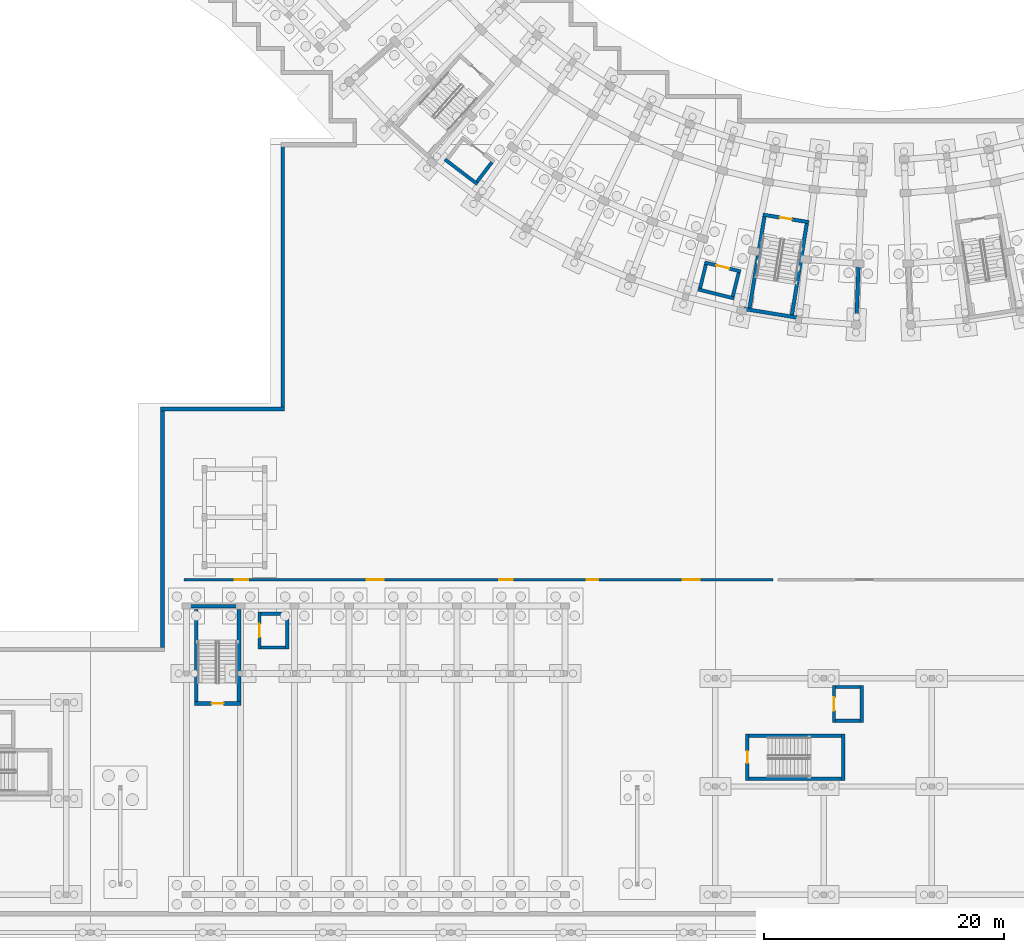
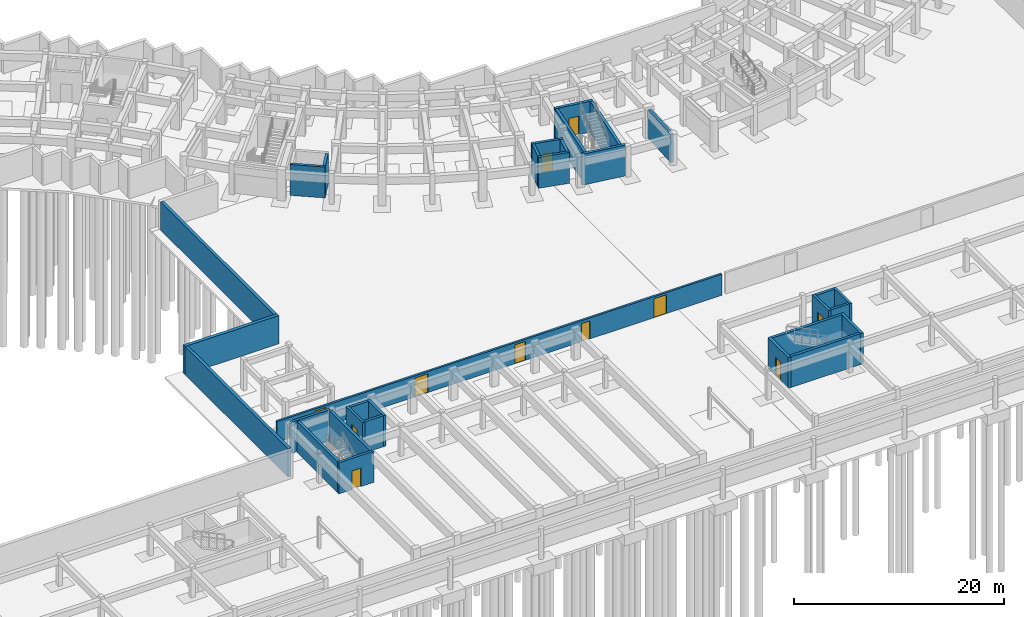
# One storey, part 18 of 32: 31 walls, 11 doors, 11 openings.
"""IFC4 building model written with IfcOpenShell, lengths in metres."""

from ifc_helpers import new_model, si_unit, direction, frame, frame_2d, origin, place, context, subcontext, project, spatial, rectangle, extrude, material, layer, layer_set, type_object, element, fill, save


model = new_model("IFC4")

# Units and contexts
model_context = context("Model", 3, precision=1e-05, world=origin(), true_north=direction((0.0, 1.0)))
body_context = subcontext(model_context, "Body", "Model", "MODEL_VIEW")
ifc_project = project(units=[si_unit("LENGTHUNIT", "METRE"), si_unit("AREAUNIT", "SQUARE_METRE"), si_unit("VOLUMEUNIT", "CUBIC_METRE"), si_unit("PLANEANGLEUNIT", "RADIAN"), si_unit("MASSUNIT", "GRAM", prefix="KILO")], contexts=[model_context])

# Site, building, storey
site_placement = place(None, origin())
site = spatial("IfcSite", under=ifc_project, at=site_placement, CompositionType="ELEMENT")
building_placement = place(site_placement, origin())
building = spatial("IfcBuilding", under=site, at=building_placement, Name="Zimvara Arc Housing Community", CompositionType="ELEMENT")
storey_placement = place(building_placement, frame((0.0, 0.0, -3.60009765625)))
storey = spatial("IfcBuildingStorey", under=building, at=storey_placement, Name="B1", CompositionType="ELEMENT", Elevation=-3.60009765625)

# Wall, openings, doors
ifc_material_1 = material(Name="Concrete C35/45", Category="concrete")
ifc_layer_1 = layer(ifc_material_1, 0.22509765625)
ifc_layer_set_1 = layer_set([ifc_layer_1], Name="Concrete C35/45")
wall_type_1 = type_object("IfcWallType", Name="IWL-PLNT-225", PredefinedType="SOLIDWALL", material=ifc_layer_set_1)
wall_1_placement = place(storey_placement, frame((67.800048828125, 29.800048828125, 0.0), z_axis=(0.0, 0.0, 1.0), x_axis=(1.0, 0.0, 0.0)))
wall_1 = element("IfcWall", 1, at=wall_1_placement, inside=storey, type_object=wall_type_1, Name="iwall:civ:b1_north_pl", PredefinedType="SOLIDWALL", context=body_context, shape_type="SweptSolid", body=[
    extrude(rectangle(XDim=49.0, YDim=0.22509765625, at=frame_2d((24.5, 0.0))), origin(), (0.0, 0.0, 1.0), 2.4501953125),
])
opening_1_placement = place(wall_1_placement, frame((4.199951171875, 0.0, 0.0)))
opening_1 = element("IfcOpeningElement", 2, at=opening_1_placement, cuts=wall_1, Name="Opening FD-PL1", PredefinedType="OPENING", context=body_context, shape_type="SweptSolid", body=[
    extrude(rectangle(XDim=1.14990234375, YDim=2.199951171875, at=frame_2d((0.574951171875, 1.10009765625))), frame((0.0, 0.12255859375, 0.0), z_axis=(0.0, -1.0, 0.0), x_axis=(1.0, 0.0, 0.0)), (0.0, 0.0, 1.0), 0.2451171875),
])
opening_2_placement = place(wall_1_placement, frame((15.199951171875, 0.0, 0.0)))
opening_2 = element("IfcOpeningElement", 3, at=opening_2_placement, cuts=wall_1, Name="Opening FD-PL2", PredefinedType="OPENING", context=body_context, shape_type="SweptSolid", body=[
    extrude(rectangle(XDim=1.39990234375, YDim=2.199951171875, at=frame_2d((0.699951171875, 1.10009765625))), frame((0.0, 0.12255859375, 0.0), z_axis=(0.0, -1.0, 0.0), x_axis=(1.0, 0.0, 0.0)), (0.0, 0.0, 1.0), 0.2451171875),
])
opening_3_placement = place(wall_1_placement, frame((26.199951171875, 0.0, 0.0)))
opening_3 = element("IfcOpeningElement", 4, at=opening_3_placement, cuts=wall_1, Name="Opening FD-PL1", PredefinedType="OPENING", context=body_context, shape_type="SweptSolid", body=[
    extrude(rectangle(XDim=1.14990234375, YDim=2.199951171875, at=frame_2d((0.574951171875, 1.10009765625))), frame((0.0, 0.12255859375, 0.0), z_axis=(0.0, -1.0, 0.0), x_axis=(1.0, 0.0, 0.0)), (0.0, 0.0, 1.0), 0.2451171875),
])
opening_4_placement = place(wall_1_placement, frame((33.5, 0.0, 0.0)))
opening_4 = element("IfcOpeningElement", 5, at=opening_4_placement, cuts=wall_1, Name="Opening D06", PredefinedType="OPENING", context=body_context, shape_type="SweptSolid", body=[
    extrude(rectangle(XDim=0.949951171875, YDim=2.10009765625, at=frame_2d((0.47509765625, 1.050048828125))), frame((0.0, 0.12255859375, 0.0), z_axis=(0.0, -1.0, 0.0), x_axis=(1.0, 0.0, 0.0)), (0.0, 0.0, 1.0), 0.2451171875),
])
opening_5_placement = place(wall_1_placement, frame((41.5, 0.0, 0.0)))
opening_5 = element("IfcOpeningElement", 6, at=opening_5_placement, cuts=wall_1, Name="Opening FD-PL2", PredefinedType="OPENING", context=body_context, shape_type="SweptSolid", body=[
    extrude(rectangle(XDim=1.39990234375, YDim=2.199951171875, at=frame_2d((0.699951171875, 1.10009765625))), frame((0.0, 0.12255859375, 0.0), z_axis=(0.0, -1.0, 0.0), x_axis=(1.0, 0.0, 0.0)), (0.0, 0.0, 1.0), 0.2451171875),
])
ifc_material_2 = material(Name="Mozambican Hardwood", Category="wood")
door_type_1 = type_object("IfcDoorType", Name="IDR-AWC-0950x2100", OperationType="NOTDEFINED", PredefinedType="DOOR", material=ifc_material_2)
door_1_placement = place(opening_4_placement, origin())
door_1 = element("IfcDoor", 7, at=door_1_placement, inside=storey, type_object=door_type_1, Name="idoor:civ:b1wc_d", OperationType="SINGLE_SWING_LEFT", OverallHeight=2.10009765625, OverallWidth=0.949951171875, PredefinedType="DOOR", context=body_context, shape_type="SweptSolid", body=[
    extrude(rectangle(XDim=0.949951171875, YDim=2.10009765625, at=frame_2d((0.47509765625, 1.050048828125))), frame((0.0, 0.02490234375, 0.0), z_axis=(0.0, -1.0, 0.0), x_axis=(1.0, 0.0, 0.0)), (0.0, 0.0, 1.0), 0.050048828125),
])
fill(opening_4, door_1)
ifc_material_3 = material(Name="Anodised Aluminium AW-6063", Category="aluminium")
door_type_2 = type_object("IfcDoorType", Name="IDR-PLNT-1150x2200", OperationType="NOTDEFINED", PredefinedType="DOOR", material=ifc_material_3)
door_2_placement = place(opening_1_placement, origin())
door_2 = element("IfcDoor", 8, at=door_2_placement, inside=storey, type_object=door_type_2, Name="idoor:civ:pot_d", OperationType="SINGLE_SWING_LEFT", OverallHeight=2.199951171875, OverallWidth=1.14990234375, PredefinedType="DOOR", context=body_context, shape_type="SweptSolid", body=[
    extrude(rectangle(XDim=1.14990234375, YDim=2.199951171875, at=frame_2d((0.574951171875, 1.10009765625))), frame((0.0, 0.02490234375, 0.0), z_axis=(0.0, -1.0, 0.0), x_axis=(1.0, 0.0, 0.0)), (0.0, 0.0, 1.0), 0.050048828125),
])
fill(opening_1, door_2)
door_3_placement = place(opening_3_placement, origin())
door_3 = element("IfcDoor", 9, at=door_3_placement, inside=storey, type_object=door_type_2, Name="idoor:civ:rain_d", OperationType="SINGLE_SWING_RIGHT", OverallHeight=2.199951171875, OverallWidth=1.14990234375, PredefinedType="DOOR", context=body_context, shape_type="SweptSolid", body=[
    extrude(rectangle(XDim=1.14990234375, YDim=2.199951171875, at=frame_2d((0.574951171875, 1.10009765625))), frame((0.0, 0.02490234375, 0.0), z_axis=(0.0, -1.0, 0.0), x_axis=(1.0, 0.0, 0.0)), (0.0, 0.0, 1.0), 0.050048828125),
])
fill(opening_3, door_3)
ifc_material_4 = material(Name="Anodised Aluminium AW-6063", Category="aluminium")
door_type_3 = type_object("IfcDoorType", Name="IDR-PLNT-1400x2200", OperationType="DOUBLE_DOOR_SINGLE_SWING", PredefinedType="DOOR", material=ifc_material_4)
door_4_placement = place(opening_2_placement, origin())
door_4 = element("IfcDoor", 10, at=door_4_placement, inside=storey, type_object=door_type_3, Name="idoor:civ:fcist_d", OperationType="DOUBLE_DOOR_SINGLE_SWING", OverallHeight=2.199951171875, OverallWidth=1.39990234375, PredefinedType="DOOR", context=body_context, shape_type="SweptSolid", body=[
    extrude(rectangle(XDim=1.39990234375, YDim=2.199951171875, at=frame_2d((0.699951171875, 1.10009765625))), frame((0.0, 0.02490234375, 0.0), z_axis=(0.0, -1.0, 0.0), x_axis=(1.0, 0.0, 0.0)), (0.0, 0.0, 1.0), 0.050048828125),
])
fill(opening_2, door_4)
door_5_placement = place(opening_5_placement, origin())
door_5 = element("IfcDoor", 11, at=door_5_placement, inside=storey, type_object=door_type_3, Name="idoor:civ:mnt_d", OperationType="DOUBLE_DOOR_SINGLE_SWING", OverallHeight=2.199951171875, OverallWidth=1.39990234375, PredefinedType="DOOR", context=body_context, shape_type="SweptSolid", body=[
    extrude(rectangle(XDim=1.39990234375, YDim=2.199951171875, at=frame_2d((0.699951171875, 1.10009765625))), frame((0.0, 0.02490234375, 0.0), z_axis=(0.0, -1.0, 0.0), x_axis=(1.0, 0.0, 0.0)), (0.0, 0.0, 1.0), 0.050048828125),
])
fill(opening_5, door_5)

# Walls
ifc_material_5 = material(Name="Concrete C40/50", Category="concrete")
ifc_layer_2 = layer(ifc_material_5, 0.280029296875)
ifc_layer_set_2 = layer_set([ifc_layer_2], Name="Concrete C40/50")
wall_type_2 = type_object("IfcWallType", Name="WL-CORE-280", PredefinedType="SHEAR", material=ifc_layer_set_2)
wall_2_placement = place(storey_placement, frame((89.49951171875, 64.76953125, 0.0), z_axis=(0.0, 0.0, 1.0), x_axis=(0.795474703455, -0.605986795371, 0.0)))
element("IfcWall", 12, at=wall_2_placement, inside=storey, type_object=wall_type_2, Name="lwall:LF-C1:B1:back", PredefinedType="SHEAR", context=body_context, shape_type="SweptSolid", body=[
    extrude(rectangle(XDim=3.389892578125, YDim=0.280029296875, at=frame_2d((1.69482421875, 0.0))), origin(), (0.0, 0.0, 1.0), 3.60009765625),
])
wall_3_placement = place(storey_placement, frame((93.399658203125, 64.5263671875, 0.0), z_axis=(0.0, 0.0, 1.0), x_axis=(-0.605891019062, -0.795547656033, 0.0)))
element("IfcWall", 13, at=wall_3_placement, inside=storey, type_object=wall_type_2, Name="lwall:LF-C1:B1:right", PredefinedType="SHEAR", context=body_context, shape_type="SweptSolid", body=[
    extrude(rectangle(XDim=2.030029296875, YDim=0.280029296875, at=frame_2d((1.01513671875, 0.0))), origin(), (0.0, 0.0, 1.0), 3.60009765625),
])

# Wall, opening, door
wall_4_placement = place(storey_placement, frame((111.10791015625, 56.1962890625, 0.0), z_axis=(0.0, 0.0, 1.0), x_axis=(0.970706856107, -0.240266933861, 0.0)))
wall_4 = element("IfcWall", 14, at=wall_4_placement, inside=storey, type_object=wall_type_2, Name="lwall:LP-C2:B1:front", PredefinedType="SHEAR", context=body_context, shape_type="SweptSolid", body=[
    extrude(rectangle(XDim=3.090087890625, YDim=0.280029296875, at=frame_2d((1.544921875, 0.0))), origin(), (0.0, 0.0, 1.0), 3.60009765625),
])
opening_6_placement = place(wall_4_placement, frame((0.9951171875, 0.0, 0.0)))
opening_6 = element("IfcOpeningElement", 15, at=opening_6_placement, cuts=wall_4, Name="Opening LD-LP-C2", PredefinedType="OPENING", context=body_context, shape_type="SweptSolid", body=[
    extrude(rectangle(XDim=1.10009765625, YDim=2.14990234375, at=frame_2d((0.550048828125, 1.074951171875))), frame((0.0, 0.14990234375, 0.0), z_axis=(0.0, -1.0, 0.0), x_axis=(1.0, 0.0, 0.0)), (0.0, 0.0, 1.0), 0.300048828125),
])
ifc_material_6 = material(Name="Anodised Aluminium AW-6063", Category="aluminium")
door_type_4 = type_object("IfcDoorType", Name="IDR-LD-1100x2150", OperationType="DOUBLE_DOOR_SLIDING", PredefinedType="DOOR", material=ifc_material_6)
door_6_placement = place(opening_6_placement, origin())
door_6 = element("IfcDoor", 16, at=door_6_placement, inside=storey, type_object=door_type_4, Name="Lift LP-C2 Sliding Landing Door B1", OperationType="DOUBLE_DOOR_SLIDING", OverallHeight=2.14990234375, OverallWidth=1.10009765625, PredefinedType="DOOR", context=body_context, shape_type="SweptSolid", body=[
    extrude(rectangle(XDim=1.10009765625, YDim=2.14990234375, at=frame_2d((0.550048828125, 1.074951171875))), frame((0.0, 0.02490234375, 0.0), z_axis=(0.0, -1.0, 0.0), x_axis=(1.0, 0.0, 0.0)), (0.0, 0.0, 1.0), 0.050048828125),
])
fill(opening_6, door_6)

# Walls
wall_5_placement = place(storey_placement, frame((110.552978515625, 53.953857421875, 0.0), z_axis=(0.0, 0.0, 1.0), x_axis=(0.970725280816, -0.240192483614, 0.0)))
element("IfcWall", 17, at=wall_5_placement, inside=storey, type_object=wall_type_2, Name="lwall:LP-C2:B1:back", PredefinedType="SHEAR", context=body_context, shape_type="SweptSolid", body=[
    extrude(rectangle(XDim=3.090087890625, YDim=0.280029296875, at=frame_2d((1.544921875, 0.0))), origin(), (0.0, 0.0, 1.0), 3.60009765625),
])
wall_6_placement = place(storey_placement, frame((111.210205078125, 56.026611328125, 0.0), z_axis=(0.0, 0.0, 1.0), x_axis=(-0.240186044774, -0.970726873995, 0.0)))
element("IfcWall", 18, at=wall_6_placement, inside=storey, type_object=wall_type_2, Name="lwall:LP-C2:B1:left", PredefinedType="SHEAR", context=body_context, shape_type="SweptSolid", body=[
    extrude(rectangle(XDim=2.02978515625, YDim=0.280029296875, at=frame_2d((1.014892578125, 0.0))), origin(), (0.0, 0.0, 1.0), 3.60009765625),
])
wall_7_placement = place(storey_placement, frame((113.93798828125, 55.3515625, 0.0), z_axis=(0.0, 0.0, 1.0), x_axis=(-0.2402993748, -0.970698825832, 0.0)))
element("IfcWall", 19, at=wall_7_placement, inside=storey, type_object=wall_type_2, Name="lwall:LP-C2:B1:right", PredefinedType="SHEAR", context=body_context, shape_type="SweptSolid", body=[
    extrude(rectangle(XDim=2.030029296875, YDim=0.280029296875, at=frame_2d((1.01513671875, 0.0))), origin(), (0.0, 0.0, 1.0), 3.60009765625),
])

# Wall, opening, door
wall_8_placement = place(storey_placement, frame((74.06494140625, 24.02490234375, 0.0), z_axis=(0.0, 0.0, 1.0), x_axis=(0.0, 1.0, 0.0)))
wall_8 = element("IfcWall", 20, at=wall_8_placement, inside=storey, type_object=wall_type_2, Name="lwall:LP-H1:B1:front", PredefinedType="SHEAR", context=body_context, shape_type="SweptSolid", body=[
    extrude(rectangle(XDim=3.090087890625, YDim=0.280029296875, at=frame_2d((1.544921875, 0.0))), origin(), (0.0, 0.0, 1.0), 3.60009765625),
])
opening_7_placement = place(wall_8_placement, frame((0.9951171875, 0.0, 0.0)))
opening_7 = element("IfcOpeningElement", 21, at=opening_7_placement, cuts=wall_8, Name="Opening LD-LP-H1", PredefinedType="OPENING", context=body_context, shape_type="SweptSolid", body=[
    extrude(rectangle(XDim=1.10009765625, YDim=2.14990234375, at=frame_2d((0.550048828125, 1.074951171875))), frame((0.0, 0.14990234375, 0.0), z_axis=(0.0, -1.0, 0.0), x_axis=(1.0, 0.0, 0.0)), (0.0, 0.0, 1.0), 0.300048828125),
])
door_7_placement = place(opening_7_placement, origin())
door_7 = element("IfcDoor", 22, at=door_7_placement, inside=storey, type_object=door_type_4, Name="Lift LP-H1 Sliding Landing Door B1", OperationType="DOUBLE_DOOR_SLIDING", OverallHeight=2.14990234375, OverallWidth=1.10009765625, PredefinedType="DOOR", context=body_context, shape_type="SweptSolid", body=[
    extrude(rectangle(XDim=1.10009765625, YDim=2.14990234375, at=frame_2d((0.550048828125, 1.074951171875))), frame((0.0, 0.02490234375, 0.0), z_axis=(0.0, -1.0, 0.0), x_axis=(1.0, 0.0, 0.0)), (0.0, 0.0, 1.0), 0.050048828125),
])
fill(opening_7, door_7)

# Walls
wall_9_placement = place(storey_placement, frame((76.375, 24.02490234375, 0.0), z_axis=(0.0, 0.0, 1.0), x_axis=(0.0, 1.0, 0.0)))
element("IfcWall", 23, at=wall_9_placement, inside=storey, type_object=wall_type_2, Name="lwall:LP-H1:B1:back", PredefinedType="SHEAR", context=body_context, shape_type="SweptSolid", body=[
    extrude(rectangle(XDim=3.090087890625, YDim=0.280029296875, at=frame_2d((1.544921875, 0.0))), origin(), (0.0, 0.0, 1.0), 3.60009765625),
])
for number, where, z_axis, x_axis, name in (
    (24, (74.205078125, 24.1650390625, 0.0), (0.0, 0.0, 1.0), (1.0, 0.0, 0.0), "lwall:LP-H1:B1:left"),
    (25, (74.205078125, 26.97509765625, 0.0), (0.0, 0.0, 1.0), (1.0, 0.0, 0.0), "lwall:LP-H1:B1:right"),
):
    element("IfcWall", number, at=place(storey_placement, frame(where, z_axis=z_axis, x_axis=x_axis)), inside=storey, type_object=wall_type_2, Name=name, PredefinedType="SHEAR", context=body_context, shape_type="SweptSolid", body=[
        extrude(rectangle(XDim=2.030029296875, YDim=0.280029296875, at=frame_2d((1.01513671875, 0.0))), origin(), (0.0, 0.0, 1.0), 3.60009765625),
    ])

# Wall, opening, door
wall_10_placement = place(storey_placement, frame((121.864990234375, 17.925048828125, 0.0), z_axis=(0.0, 0.0, 1.0), x_axis=(0.0, 1.0, 0.0)))
wall_10 = element("IfcWall", 26, at=wall_10_placement, inside=storey, type_object=wall_type_2, Name="lwall:LP-N1:B1:front", PredefinedType="SHEAR", context=body_context, shape_type="SweptSolid", body=[
    extrude(rectangle(XDim=3.08984375, YDim=0.280029296875, at=frame_2d((1.544921875, 0.0))), origin(), (0.0, 0.0, 1.0), 3.60009765625),
])
opening_8_placement = place(wall_10_placement, frame((0.9951171875, 0.0, 0.0)))
opening_8 = element("IfcOpeningElement", 27, at=opening_8_placement, cuts=wall_10, Name="Opening LD-LP-N1", PredefinedType="OPENING", context=body_context, shape_type="SweptSolid", body=[
    extrude(rectangle(XDim=1.10009765625, YDim=2.14990234375, at=frame_2d((0.550048828125, 1.074951171875))), frame((0.0, 0.14990234375, 0.0), z_axis=(0.0, -1.0, 0.0), x_axis=(1.0, 0.0, 0.0)), (0.0, 0.0, 1.0), 0.300048828125),
])
door_8_placement = place(opening_8_placement, origin())
door_8 = element("IfcDoor", 28, at=door_8_placement, inside=storey, type_object=door_type_4, Name="Lift LP-N1 Sliding Landing Door B1", OperationType="DOUBLE_DOOR_SLIDING", OverallHeight=2.14990234375, OverallWidth=1.10009765625, PredefinedType="DOOR", context=body_context, shape_type="SweptSolid", body=[
    extrude(rectangle(XDim=1.10009765625, YDim=2.14990234375, at=frame_2d((0.550048828125, 1.074951171875))), frame((0.0, 0.02490234375, 0.0), z_axis=(0.0, -1.0, 0.0), x_axis=(1.0, 0.0, 0.0)), (0.0, 0.0, 1.0), 0.050048828125),
])
fill(opening_8, door_8)

# Walls
wall_11_placement = place(storey_placement, frame((124.175048828125, 17.925048828125, 0.0), z_axis=(0.0, 0.0, 1.0), x_axis=(0.0, 1.0, 0.0)))
element("IfcWall", 29, at=wall_11_placement, inside=storey, type_object=wall_type_2, Name="lwall:LP-N1:B1:back", PredefinedType="SHEAR", context=body_context, shape_type="SweptSolid", body=[
    extrude(rectangle(XDim=3.08984375, YDim=0.280029296875, at=frame_2d((1.544921875, 0.0))), origin(), (0.0, 0.0, 1.0), 3.60009765625),
])
for number, where, z_axis, x_axis, name in (
    (30, (122.0048828125, 18.06494140625, 0.0), (0.0, 0.0, 1.0), (1.0, 0.0, 0.0), "lwall:LP-N1:B1:left"),
    (31, (122.0048828125, 20.875, 0.0), (0.0, 0.0, 1.0), (1.0, 0.0, 0.0), "lwall:LP-N1:B1:right"),
):
    element("IfcWall", number, at=place(storey_placement, frame(where, z_axis=z_axis, x_axis=x_axis)), inside=storey, type_object=wall_type_2, Name=name, PredefinedType="SHEAR", context=body_context, shape_type="SweptSolid", body=[
        extrude(rectangle(XDim=2.030029296875, YDim=0.280029296875, at=frame_2d((1.01513671875, 0.0))), origin(), (0.0, 0.0, 1.0), 3.60009765625),
    ])

# Wall, opening, door
ifc_material_7 = material(Name="Concrete C40/50", Category="concrete")
ifc_layer_3 = layer(ifc_material_7, 0.300048828125)
ifc_layer_set_3 = layer_set([ifc_layer_3], Name="Concrete C40/50")
wall_type_3 = type_object("IfcWallType", Name="WL-CORE-300", PredefinedType="SHEAR", material=ifc_layer_set_3)
wall_12_placement = place(storey_placement, frame((115.953857421875, 60.16943359375, 0.0), z_axis=(0.0, 0.0, 1.0), x_axis=(0.987077443397, -0.160243941341, 0.0)))
wall_12 = element("IfcWall", 32, at=wall_12_placement, inside=storey, type_object=wall_type_3, Name="cwall:ST-C2:B1:near", PredefinedType="SHEAR", context=body_context, shape_type="SweptSolid", body=[
    extrude(rectangle(XDim=3.869873046875, YDim=0.300048828125, at=frame_2d((1.93505859375, 0.0))), origin(), (0.0, 0.0, 1.0), 3.60009765625),
])
opening_9_placement = place(wall_12_placement, frame((1.43505859375, 0.0, 0.0)))
opening_9 = element("IfcOpeningElement", 33, at=opening_9_placement, cuts=wall_12, Name="Opening FD-ST1", PredefinedType="OPENING", context=body_context, shape_type="SweptSolid", body=[
    extrude(rectangle(XDim=1.0, YDim=2.14990234375, at=frame_2d((0.5, 1.074951171875))), frame((0.0, 0.159912109375, 0.0), z_axis=(0.0, -1.0, 0.0), x_axis=(1.0, 0.0, 0.0)), (0.0, 0.0, 1.0), 0.320068359375),
])
ifc_material_8 = material(Name="Anodised Aluminium AW-6063", Category="aluminium")
door_type_5 = type_object("IfcDoorType", Name="IDR-ST-1000x2150", OperationType="NOTDEFINED", PredefinedType="DOOR", material=ifc_material_8)
door_9_placement = place(opening_9_placement, origin())
door_9 = element("IfcDoor", 34, at=door_9_placement, inside=storey, type_object=door_type_5, Name="idoor:ST-C2:B1:entry", OperationType="SINGLE_SWING_LEFT", OverallHeight=2.14990234375, OverallWidth=1.0, PredefinedType="DOOR", context=body_context, shape_type="SweptSolid", body=[
    extrude(rectangle(XDim=1.0, YDim=2.14990234375, at=frame_2d((0.5, 1.074951171875))), frame((0.0, 0.02490234375, 0.0), z_axis=(0.0, -1.0, 0.0), x_axis=(1.0, 0.0, 0.0)), (0.0, 0.0, 1.0), 0.050048828125),
])
fill(opening_9, door_9)

# Walls
wall_13_placement = place(storey_placement, frame((114.37744140625, 52.330810546875, 0.0), z_axis=(0.0, 0.0, 1.0), x_axis=(0.987077474317, -0.16024375088, 0.0)))
element("IfcWall", 35, at=wall_13_placement, inside=storey, type_object=wall_type_3, Name="cwall:ST-C2:B1:far", PredefinedType="SHEAR", context=body_context, shape_type="SweptSolid", body=[
    extrude(rectangle(XDim=4.47021484375, YDim=0.300048828125, at=frame_2d((2.235107421875, 0.0))), origin(), (0.0, 0.0, 1.0), 3.60009765625),
])
for number, where, z_axis, x_axis, name in (
    (36, (116.077880859375, 59.997314453125, 0.0), (0.0, 0.0, 1.0), (-0.160232517967, -0.987079297821, 0.0), "cwall:ST-C2:B1:left"),
    (37, (119.6015625, 59.42529296875, 0.0), (0.0, 0.0, 1.0), (-0.160201584773, -0.987084318706, 0.0), "cwall:ST-C2:B1:right"),
):
    element("IfcWall", number, at=place(storey_placement, frame(where, z_axis=z_axis, x_axis=x_axis)), inside=storey, type_object=wall_type_3, Name=name, PredefinedType="SHEAR", context=body_context, shape_type="SweptSolid", body=[
        extrude(rectangle(XDim=7.68994140625, YDim=0.300048828125, at=frame_2d((3.844970703125, 0.0))), origin(), (0.0, 0.0, 1.0), 3.60009765625),
    ])

# Wall, opening, door
wall_14_placement = place(storey_placement, frame((72.514892578125, 19.5048828125, 0.0), z_axis=(0.0, 0.0, 1.0), x_axis=(-1.0, 0.0, 0.0)))
wall_14 = element("IfcWall", 38, at=wall_14_placement, inside=storey, type_object=wall_type_3, Name="cwall:ST-H1:B1:near", PredefinedType="SHEAR", context=body_context, shape_type="SweptSolid", body=[
    extrude(rectangle(XDim=3.869873046875, YDim=0.300048828125, at=frame_2d((1.93505859375, 0.0))), origin(), (0.0, 0.0, 1.0), 3.60009765625),
])
opening_10_placement = place(wall_14_placement, frame((1.43505859375, 0.0, 0.0)))
opening_10 = element("IfcOpeningElement", 39, at=opening_10_placement, cuts=wall_14, Name="Opening FD-ST1", PredefinedType="OPENING", context=body_context, shape_type="SweptSolid", body=[
    extrude(rectangle(XDim=1.0, YDim=2.14990234375, at=frame_2d((0.5, 1.074951171875))), frame((0.0, 0.159912109375, 0.0), z_axis=(0.0, -1.0, 0.0), x_axis=(1.0, 0.0, 0.0)), (0.0, 0.0, 1.0), 0.320068359375),
])
door_10_placement = place(opening_10_placement, origin())
door_10 = element("IfcDoor", 40, at=door_10_placement, inside=storey, type_object=door_type_5, Name="idoor:ST-H1:B1:entry", OperationType="SINGLE_SWING_LEFT", OverallHeight=2.14990234375, OverallWidth=1.0, PredefinedType="DOOR", context=body_context, shape_type="SweptSolid", body=[
    extrude(rectangle(XDim=1.0, YDim=2.14990234375, at=frame_2d((0.5, 1.074951171875))), frame((0.0, 0.02490234375, 0.0), z_axis=(0.0, -1.0, 0.0), x_axis=(1.0, 0.0, 0.0)), (0.0, 0.0, 1.0), 0.050048828125),
])
fill(opening_10, door_10)

# Walls
wall_15_placement = place(storey_placement, frame((72.429931640625, 27.60009765625, 0.0), z_axis=(0.0, 0.0, 1.0), x_axis=(-1.0, 0.0, 0.0)))
element("IfcWall", 41, at=wall_15_placement, inside=storey, type_object=wall_type_3, Name="cwall:ST-H1:B1:far", PredefinedType="SHEAR", context=body_context, shape_type="SweptSolid", body=[
    extrude(rectangle(XDim=4.35986328125, YDim=0.300048828125, at=frame_2d((2.179931640625, 0.0))), origin(), (0.0, 0.0, 1.0), 3.60009765625),
])
for number, where, z_axis, x_axis, name in (
    (42, (72.364990234375, 19.655029296875, 0.0), (0.0, 0.0, 1.0), (0.0, 1.0, 0.0), "cwall:ST-H1:B1:left"),
    (43, (68.794921875, 19.655029296875, 0.0), (0.0, 0.0, 1.0), (0.0, 1.0, 0.0), "cwall:ST-H1:B1:right"),
):
    element("IfcWall", number, at=place(storey_placement, frame(where, z_axis=z_axis, x_axis=x_axis)), inside=storey, type_object=wall_type_3, Name=name, PredefinedType="SHEAR", context=body_context, shape_type="SweptSolid", body=[
        extrude(rectangle(XDim=7.68994140625, YDim=0.300048828125, at=frame_2d((3.844970703125, 0.0))), origin(), (0.0, 0.0, 1.0), 3.60009765625),
    ])

# Wall, opening, door
wall_16_placement = place(storey_placement, frame((114.655029296875, 13.10498046875, 0.0), z_axis=(0.0, 0.0, 1.0), x_axis=(0.0, 1.0, 0.0)))
wall_16 = element("IfcWall", 44, at=wall_16_placement, inside=storey, type_object=wall_type_3, Name="cwall:ST-N1:B1:near", PredefinedType="SHEAR", context=body_context, shape_type="SweptSolid", body=[
    extrude(rectangle(XDim=3.8701171875, YDim=0.300048828125, at=frame_2d((1.93505859375, 0.0))), origin(), (0.0, 0.0, 1.0), 3.60009765625),
])
opening_11_placement = place(wall_16_placement, frame((1.43505859375, 0.0, 0.0)))
opening_11 = element("IfcOpeningElement", 45, at=opening_11_placement, cuts=wall_16, Name="Opening FD-ST1", PredefinedType="OPENING", context=body_context, shape_type="SweptSolid", body=[
    extrude(rectangle(XDim=1.0, YDim=2.14990234375, at=frame_2d((0.5, 1.074951171875))), frame((0.0, 0.159912109375, 0.0), z_axis=(0.0, -1.0, 0.0), x_axis=(1.0, 0.0, 0.0)), (0.0, 0.0, 1.0), 0.320068359375),
])
door_11_placement = place(opening_11_placement, origin())
door_11 = element("IfcDoor", 46, at=door_11_placement, inside=storey, type_object=door_type_5, Name="idoor:ST-N1:B1:entry", OperationType="SINGLE_SWING_LEFT", OverallHeight=2.14990234375, OverallWidth=1.0, PredefinedType="DOOR", context=body_context, shape_type="SweptSolid", body=[
    extrude(rectangle(XDim=1.0, YDim=2.14990234375, at=frame_2d((0.5, 1.074951171875))), frame((0.0, 0.02490234375, 0.0), z_axis=(0.0, -1.0, 0.0), x_axis=(1.0, 0.0, 0.0)), (0.0, 0.0, 1.0), 0.050048828125),
])
fill(opening_11, door_11)

# Walls
wall_17_placement = place(storey_placement, frame((122.64501953125, 13.10498046875, 0.0), z_axis=(0.0, 0.0, 1.0), x_axis=(0.0, 1.0, 0.0)))
element("IfcWall", 47, at=wall_17_placement, inside=storey, type_object=wall_type_3, Name="cwall:ST-N1:B1:far", PredefinedType="SHEAR", context=body_context, shape_type="SweptSolid", body=[
    extrude(rectangle(XDim=3.8701171875, YDim=0.300048828125, at=frame_2d((1.93505859375, 0.0))), origin(), (0.0, 0.0, 1.0), 3.60009765625),
])
for number, where, z_axis, x_axis, name in (
    (48, (114.804931640625, 13.2548828125, 0.0), (0.0, 0.0, 1.0), (1.0, 0.0, 0.0), "cwall:ST-N1:B1:left"),
    (49, (114.804931640625, 16.824951171875, 0.0), (0.0, 0.0, 1.0), (1.0, 0.0, 0.0), "cwall:ST-N1:B1:right"),
):
    element("IfcWall", number, at=place(storey_placement, frame(where, z_axis=z_axis, x_axis=x_axis)), inside=storey, type_object=wall_type_3, Name=name, PredefinedType="SHEAR", context=body_context, shape_type="SweptSolid", body=[
        extrude(rectangle(XDim=7.690185546875, YDim=0.300048828125, at=frame_2d((3.84521484375, 0.0))), origin(), (0.0, 0.0, 1.0), 3.60009765625),
    ])
ifc_material_9 = material(Name="Concrete C35/45", Category="concrete")
ifc_layer_4 = layer(ifc_material_9, 0.320068359375)
ifc_layer_set_4 = layer_set([ifc_layer_4], Name="Concrete C35/45")
wall_type_4 = type_object("IfcWallType", Name="WL-RET-320", PredefinedType="USERDEFINED", material=ifc_layer_set_4)
wall_18_placement = place(storey_placement, frame((76.0, 65.824951171875, 0.0), z_axis=(0.0, 0.0, 1.0), x_axis=(0.0, -1.0, 0.0)))
element("IfcWall", 50, at=wall_18_placement, inside=storey, type_object=wall_type_4, Name="wall:B1:ret:130", ObjectType="RETAINING WALL", PredefinedType="USERDEFINED", context=body_context, shape_type="SweptSolid", body=[
    extrude(rectangle(XDim=21.64990234375, YDim=0.320068359375, at=frame_2d((10.824951171875, 0.0))), origin(), (0.0, 0.0, 1.0), 3.300048828125),
])
wall_19_placement = place(storey_placement, frame((66.0, 43.824951171875, 0.0), z_axis=(0.0, 0.0, 1.0), x_axis=(0.0, -1.0, 0.0)))
element("IfcWall", 51, at=wall_19_placement, inside=storey, type_object=wall_type_4, Name="wall:B1:ret:132", ObjectType="RETAINING WALL", PredefinedType="USERDEFINED", context=body_context, shape_type="SweptSolid", body=[
    extrude(rectangle(XDim=19.64990234375, YDim=0.320068359375, at=frame_2d((9.824951171875, 0.0))), origin(), (0.0, 0.0, 1.0), 3.300048828125),
])
ifc_material_10 = material(Name="Concrete C35/45", Category="concrete")
ifc_layer_5 = layer(ifc_material_10, 0.360107421875)
ifc_layer_set_5 = layer_set([ifc_layer_5], Name="Concrete C35/45")
wall_type_5 = type_object("IfcWallType", Name="WL-RET-360", PredefinedType="USERDEFINED", material=ifc_layer_set_5)
wall_20_placement = place(storey_placement, frame((76.159912109375, 44.0, 0.0), z_axis=(0.0, 0.0, 1.0), x_axis=(-1.0, 0.0, 0.0)))
element("IfcWall", 52, at=wall_20_placement, inside=storey, type_object=wall_type_5, Name="wall:B1:ret:131", ObjectType="RETAINING WALL", PredefinedType="USERDEFINED", context=body_context, shape_type="SweptSolid", body=[
    extrude(rectangle(XDim=10.31982421875, YDim=0.360107421875, at=frame_2d((5.159912109375, 0.0))), origin(), (0.0, 0.0, 1.0), 3.300048828125),
])
ifc_material_11 = material(Name="Concrete C40/50", Category="concrete")
ifc_layer_6 = layer(ifc_material_11, 0.31005859375)
ifc_layer_set_6 = layer_set([ifc_layer_6], Name="Concrete C40/50")
wall_type_6 = type_object("IfcWallType", Name="WL-SHEAR-310", PredefinedType="SHEAR", material=ifc_layer_set_6)
wall_21_placement = place(storey_placement, frame((123.90771484375, 55.919677734375, 0.0), z_axis=(0.0, 0.0, 1.0), x_axis=(-0.038381471406, -0.99926315986, 0.0)))
element("IfcWall", 53, at=wall_21_placement, inside=storey, type_object=wall_type_6, Name="swall:blkC:B1:east", PredefinedType="SHEAR", context=body_context, shape_type="SweptSolid", body=[
    extrude(rectangle(XDim=4.7197265625, YDim=0.31005859375, at=frame_2d((2.35986328125, 0.0))), origin(), (0.0, 0.0, 1.0), 3.300048828125),
])

save(model, "model.ifc")
